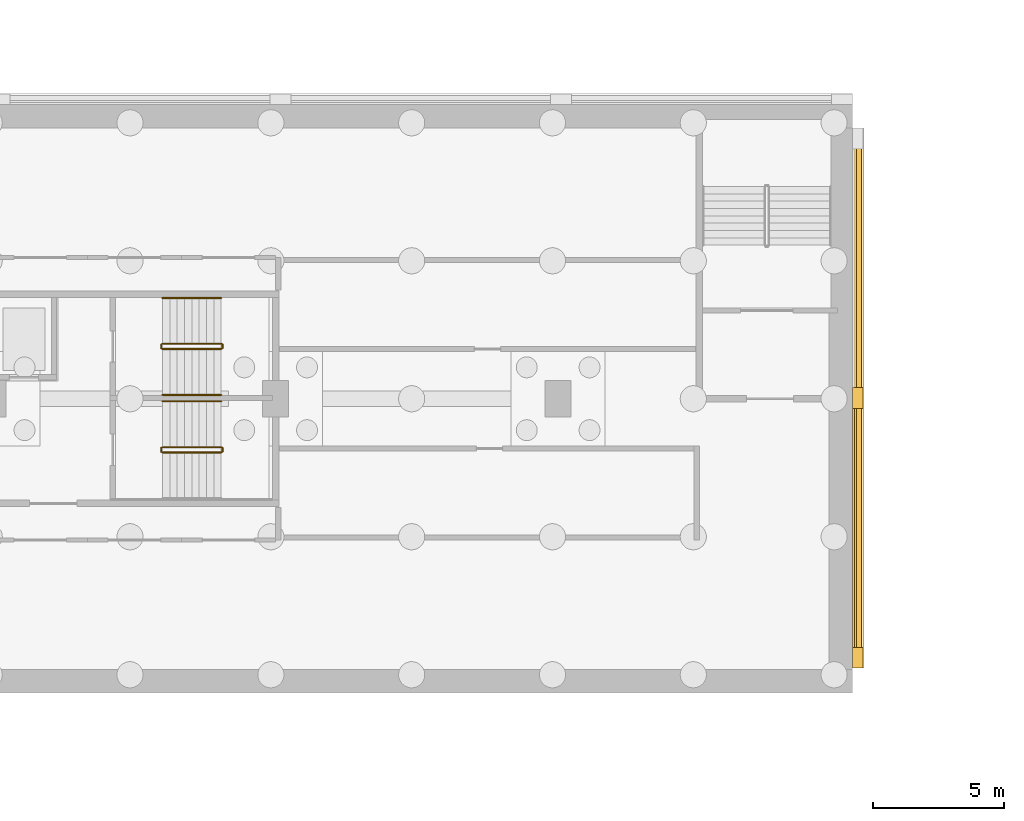
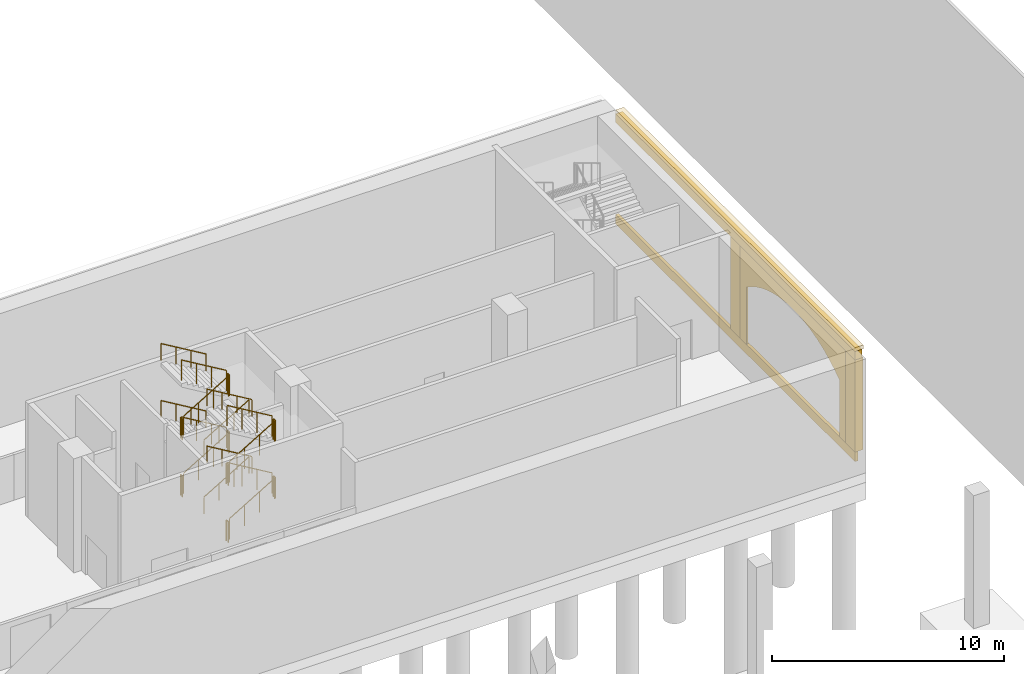
# One storey, part 35 of 39: 22 railings, 6 coverings.
"""IFC4 building model written with IfcOpenShell, lengths in metres."""

import ifcopenshell
import ifcopenshell.guid

model = None  # the IFC model being written
_history = None  # IfcOwnerHistory: only IFC2X3 demands one
_inside = {}  # id of a spatial element -> (the spatial element, [elements in it])
_under = {}  # id of a project, library or spatial element -> (it, [spatial elements below it])
_declared = {}  # id of a project -> (the project, [libraries it declares])
_typed = {}  # id of a type object -> (the type object, [elements of that type])
_made_of = {}  # id of a material, layer set ... -> (it, [elements and type objects made of it])


def new_model(schema):
    """Start an empty IFC model of exactly this schema.

    Asked for "IFC4X3", IfcOpenShell would pick the latest addendum, in which some entities
    have other attributes; the version numbers below select the first issue.
    IFC2X3 requires an IfcOwnerHistory on every rooted entity: one is made here for all.
    """
    global model, _history
    if schema == "IFC4X3":
        model = ifcopenshell.file(schema_version=(4, 3, 0, 0))
    else:
        model = ifcopenshell.file(schema=schema)
    _inside.clear()
    _under.clear()
    _declared.clear()
    _typed.clear()
    _made_of.clear()
    _history = None
    if model.schema == "IFC2X3":
        org = make("IfcOrganization", Name="unknown")
        user = make(
            "IfcPersonAndOrganization",
            ThePerson=make("IfcPerson", FamilyName="unknown"),
            TheOrganization=org,
        )
        app = make(
            "IfcApplication",
            ApplicationDeveloper=org,
            Version="unknown",
            ApplicationFullName="unknown",
            ApplicationIdentifier="unknown",
        )
        _history = make(
            "IfcOwnerHistory",
            OwningUser=user,
            OwningApplication=app,
            ChangeAction="ADDED",
            CreationDate=0,
        )
    return model


def make(cls, **values):
    """One entity of the class cls with the attributes given. An attribute that is None is left unset."""
    return model.create_entity(
        cls, **{name: value for name, value in values.items() if value is not None}
    )


def rooted(cls, **values):
    """An entity with a GlobalId (a new one), such as an element, a storey or a relation."""
    return make(cls, GlobalId=ifcopenshell.guid.new(), OwnerHistory=_history, **values)


def si_unit(unit_type, name, prefix=None):
    """IfcSIUnit, for example si_unit("LENGTHUNIT", "METRE", prefix="MILLI")."""
    return make("IfcSIUnit", UnitType=unit_type, Prefix=prefix, Name=name)


def assignment(units):
    """IfcUnitAssignment: the units of a project."""
    return None if units is None else make("IfcUnitAssignment", Units=units)


def point(xyz):
    """IfcCartesianPoint."""
    return None if xyz is None else make("IfcCartesianPoint", Coordinates=xyz)


def direction(xyz):
    """IfcDirection."""
    return None if xyz is None else make("IfcDirection", DirectionRatios=xyz)


def frame(location, z_axis=None, x_axis=None):
    """IfcAxis2Placement3D, a coordinate frame: its origin and axes. An axis left out is left unset."""
    return make(
        "IfcAxis2Placement3D",
        Location=point(location),
        Axis=direction(z_axis),
        RefDirection=direction(x_axis),
    )


def frame_2d(location, x_axis=None):
    """IfcAxis2Placement2D, a coordinate frame in the plane: its origin and x axis."""
    return make(
        "IfcAxis2Placement2D", Location=point(location), RefDirection=direction(x_axis)
    )


def origin():
    """The frame at (0, 0, 0) with its axes left unset."""
    return frame((0.0, 0.0, 0.0))


def origin_2d():
    """The frame at (0, 0) in the plane with its x axis left unset."""
    return frame_2d((0.0, 0.0))


def place(relative_to, where):
    """IfcLocalPlacement: puts the frame where relative to a parent placement (None: the world)."""
    return make(
        "IfcLocalPlacement", PlacementRelTo=relative_to, RelativePlacement=where
    )


def context(
    kind, dimensions, precision=None, world=None, true_north=None, identifier=None
):
    """IfcGeometricRepresentationContext, for example the 3D "Model" context."""
    return make(
        "IfcGeometricRepresentationContext",
        ContextIdentifier=identifier,
        ContextType=kind,
        CoordinateSpaceDimension=dimensions,
        Precision=precision,
        WorldCoordinateSystem=world,
        TrueNorth=true_north,
    )


def subcontext(parent, identifier, kind, view, scale=None):
    """IfcGeometricRepresentationSubContext, for example "Body" below "Model"."""
    return make(
        "IfcGeometricRepresentationSubContext",
        ContextIdentifier=identifier,
        ContextType=kind,
        ParentContext=parent,
        TargetScale=scale,
        TargetView=view,
    )


def project(units=None, contexts=None):
    """IfcProject with its units and contexts."""
    return rooted(
        "IfcProject",
        Name="project",
        RepresentationContexts=contexts,
        UnitsInContext=assignment(units),
    )


def spatial(cls, under=None, at=None, **own):
    """A site, building, storey or space (cls), placed at a placement, below another one or the project."""
    s = rooted(cls, ObjectPlacement=at, **own)
    if under is not None:
        _under.setdefault(under.id(), (under, []))[1].append(s)
    return s


def polyline(points):
    """IfcPolyline through the points."""
    return make("IfcPolyline", Points=[point(p) for p in points])


def profile(cls, at=None, kind="AREA", **sizes):
    """A parametric profile (cls). Its sizes go by their IFC names, for example OverallWidth=200.0."""
    return make(cls, ProfileType=kind, Position=at, **sizes)


def rectangle(**sizes):
    """IfcRectangleProfileDef."""
    return profile("IfcRectangleProfileDef", **sizes)


def circle(**sizes):
    """IfcCircleProfileDef."""
    return profile("IfcCircleProfileDef", **sizes)


def outline(outer, holes=None, kind="AREA"):
    """IfcArbitraryClosedProfileDef: a profile drawn as a closed curve; with holes, ...WithVoids."""
    if holes is None:
        return make("IfcArbitraryClosedProfileDef", ProfileType=kind, OuterCurve=outer)
    return make(
        "IfcArbitraryProfileDefWithVoids",
        ProfileType=kind,
        OuterCurve=outer,
        InnerCurves=holes,
    )


def extrude(swept, where, along, depth):
    """IfcExtrudedAreaSolid: the profile swept, set in the frame where, extruded along a direction by depth."""
    return make(
        "IfcExtrudedAreaSolid",
        SweptArea=swept,
        Position=where,
        ExtrudedDirection=direction(along),
        Depth=depth,
    )


def shape(context_of_items, identifier, shape_type, items):
    """IfcShapeRepresentation: the items that make up one representation, for example the "Body"."""
    return make(
        "IfcShapeRepresentation",
        ContextOfItems=context_of_items,
        RepresentationIdentifier=identifier,
        RepresentationType=shape_type,
        Items=items,
    )


def material(Name=None, Category=None):
    """IfcMaterial."""
    return make("IfcMaterial", Name=Name, Category=Category)


def layer(
    of_material, thickness, ventilated=None, Name=None, Category=None, Priority=None
):
    """IfcMaterialLayer: one layer of a wall or slab, of a material (None: an air gap)."""
    return make(
        "IfcMaterialLayer",
        Material=of_material,
        LayerThickness=thickness,
        IsVentilated=ventilated,
        Name=Name,
        Category=Category,
        Priority=Priority,
    )


def layer_set(layers, Name=None):
    """IfcMaterialLayerSet."""
    return make("IfcMaterialLayerSet", MaterialLayers=layers, LayerSetName=Name)


def made_of(thing, what):
    """Note that an element or type object is made of a material, layer set ...; save() writes the relation."""
    if what is not None:
        _made_of.setdefault(what.id(), (what, []))[1].append(thing)
    return thing


def type_object(cls, material=None, **own):
    """A type object (cls), such as IfcWallType, which elements share."""
    return made_of(rooted(cls, **own), material)


def element(
    cls,
    number,
    at=None,
    inside=None,
    cuts=None,
    type_object=None,
    material=None,
    context=None,
    identifier="Body",
    shape_type=None,
    held_by="IfcProductDefinitionShape",
    body=None,
    shapes=None,
    **own,
):
    """One element of the class cls, such as IfcWall. Its Tag is "e" and its number.

    at: its placement. inside: the storey or other place that contains it. cuts: it is an
    opening in that element (IfcRelVoidsElement). A single representation is given by context,
    identifier, shape_type and body (its items); several are given by shapes. held_by: the class
    of the entity that holds the representations. save() writes the other relations.
    """
    e = rooted(cls, Tag="e%d" % number, ObjectPlacement=at, **own)
    if body is not None:
        shapes = [shape(context, identifier, shape_type, body)]
    if shapes is not None:
        e.Representation = make(held_by, Representations=shapes)
    if inside is not None:
        _inside.setdefault(inside.id(), (inside, []))[1].append(e)
    if cuts is not None:
        rooted(
            "IfcRelVoidsElement", RelatingBuildingElement=cuts, RelatedOpeningElement=e
        )
    if type_object is not None:
        _typed.setdefault(type_object.id(), (type_object, []))[1].append(e)
    return made_of(e, material)


def aggregate(whole, parts):
    """IfcRelAggregates: a whole, such as a stair, and the parts it consists of."""
    return rooted("IfcRelAggregates", RelatingObject=whole, RelatedObjects=parts)


def save(model, path):
    """Write the relations noted so far, then the file.

    IfcRelAggregates (storeys below a building ...), IfcRelContainedInSpatialStructure (elements
    in a storey), IfcRelDefinesByType, IfcRelAssociatesMaterial and IfcRelDeclares: one each for
    every whole, place, type object, material and project.
    """
    for whole, parts in _under.values():
        aggregate(whole, parts)
    for where, things in _inside.values():
        rooted(
            "IfcRelContainedInSpatialStructure",
            RelatedElements=things,
            RelatingStructure=where,
        )
    for kind, things in _typed.values():
        rooted("IfcRelDefinesByType", RelatedObjects=things, RelatingType=kind)
    for what, things in _made_of.values():
        rooted("IfcRelAssociatesMaterial", RelatedObjects=things, RelatingMaterial=what)
    for by, libraries in _declared.values():
        rooted("IfcRelDeclares", RelatingContext=by, RelatedDefinitions=libraries)
    model.write(path)


model = new_model("IFC4")

# Units and contexts
model_context = context("Model", 3, precision=1e-05, world=origin(), true_north=direction((0.0, 1.0)))
body_context = subcontext(model_context, "Body", "Model", "MODEL_VIEW")
ifc_project = project(units=[si_unit("LENGTHUNIT", "METRE"), si_unit("AREAUNIT", "SQUARE_METRE"), si_unit("VOLUMEUNIT", "CUBIC_METRE"), si_unit("PLANEANGLEUNIT", "RADIAN"), si_unit("MASSUNIT", "GRAM", prefix="KILO")], contexts=[model_context])

# Site, building, storey
site_placement = place(None, origin())
site = spatial("IfcSite", under=ifc_project, at=site_placement, CompositionType="ELEMENT")
building_placement = place(site_placement, origin())
building = spatial("IfcBuilding", under=site, at=building_placement, Name="Magnolia Steps Interchange", CompositionType="ELEMENT")
storey_placement = place(building_placement, frame((0.0, 0.0, -11.39990234375)))
storey = spatial("IfcBuildingStorey", under=building, at=storey_placement, Name="B2", CompositionType="ELEMENT", Elevation=-11.39990234375)

# Coverings
ifc_material_1 = material(Name="Lime render")
ifc_layer_1 = layer(ifc_material_1, 0.080078125)
ifc_layer_set_1 = layer_set([ifc_layer_1], Name="Lime render arch infill")
covering_type_1 = type_object("IfcCoveringType", Name="Lime render arch infill", PredefinedType="CLADDING", material=ifc_layer_set_1)
covering_1_placement = place(storey_placement, frame((183.25, 54.5, 0.5), z_axis=(-1.0, 0.0, 0.0), x_axis=(0.0, 0.0, 1.0)))
element("IfcCovering", 1, at=covering_1_placement, inside=storey, type_object=covering_type_1, Name="Blind arch metro box wall 1.1", PredefinedType="CLADDING", context=body_context, shape_type="SweptSolid", body=[
    extrude(outline(polyline([(0.0, 0.0), (4.849853516, 0.0), (4.849853516, 9.125), (0.0, 9.125), (0.0, 8.574951172), (3.0, 8.574951172), (3.296875, 8.129150391), (3.546630859, 7.683349609), (3.755371094, 7.237548828), (3.926513672, 6.791748047), (4.063476562, 6.345703125), (4.16796875, 5.899902344), (4.241699219, 5.454101562), (4.285400391, 5.008300781), (4.299804688, 4.5625), (4.285400391, 4.116699219), (4.241699219, 3.670898438), (4.16796875, 3.225097656), (4.063476562, 2.779296875), (3.926513672, 2.333251953), (3.755371094, 1.887451172), (3.546630859, 1.441650391), (3.296875, 0.995849609), (3.0, 0.550048828), (0.0, 0.550048828), (0.0, 0.0)])), origin(), (0.0, 0.0, -1.0), 0.080078125),
])
ifc_material_2 = material(Name="Lime render")
ifc_layer_2 = layer(ifc_material_2, 0.1201171875)
ifc_layer_set_2 = layer_set([ifc_layer_2], Name="Lime render band")
covering_type_2 = type_object("IfcCoveringType", Name="Lime render band", PredefinedType="CLADDING", material=ifc_layer_set_2)
covering_2_placement = place(storey_placement, frame((183.324951171875, 64.02490234375, 0.0), z_axis=(0.0, 0.0, 1.0), x_axis=(1.0, 0.0, 0.0)))
element("IfcCovering", 2, at=covering_2_placement, inside=storey, type_object=covering_type_2, Name="Plinth course metro box wall 1", PredefinedType="CLADDING", context=body_context, shape_type="SweptSolid", body=[
    extrude(rectangle(XDim=0.14990234375, YDim=20.64990234375, at=origin_2d()), origin(), (0.0, 0.0, 1.0), 0.5),
])
covering_3_placement = place(storey_placement, frame((183.425048828125, 64.02490234375, 5.35009765625), z_axis=(0.0, 0.0, 1.0), x_axis=(1.0, 0.0, 0.0)))
element("IfcCovering", 3, at=covering_3_placement, inside=storey, type_object=covering_type_2, Name="Cornice metro box wall 1", PredefinedType="CLADDING", context=body_context, shape_type="SweptSolid", body=[
    extrude(rectangle(XDim=0.35009765625, YDim=20.64990234375, at=origin_2d()), origin(), (0.0, 0.0, 1.0), 0.449951171875),
])
covering_4_placement = place(storey_placement, frame((183.4599609375, 64.02490234375, 5.7998046875), z_axis=(0.0, 0.0, 1.0), x_axis=(1.0, 0.0, 0.0)))
element("IfcCovering", 4, at=covering_4_placement, inside=storey, type_object=covering_type_2, Name="Coping metro box wall 1", PredefinedType="CLADDING", context=body_context, shape_type="SweptSolid", body=[
    extrude(rectangle(XDim=0.419921875, YDim=20.64990234375, at=origin_2d()), origin(), (0.0, 0.0, 1.0), 0.199951171875),
])
ifc_material_3 = material(Name="Lime render")
ifc_layer_3 = layer(ifc_material_3, 0.39990234375)
ifc_layer_set_3 = layer_set([ifc_layer_3], Name="Lime render pilaster")
covering_type_3 = type_object("IfcCoveringType", Name="Lime render pilaster", PredefinedType="CLADDING", material=ifc_layer_set_3)
for number, where, z_axis, x_axis, name in (
    (5, (183.449951171875, 54.10009765625, 0.499755859375), (0.0, 0.0, 1.0), (1.0, 0.0, 0.0), "Pilaster metro box wall 1.1"),
    (6, (183.449951171875, 64.02490234375, 0.499755859375), (0.0, 0.0, 1.0), (1.0, 0.0, 0.0), "Pilaster metro box wall 1.2"),
):
    element("IfcCovering", number, at=place(storey_placement, frame(where, z_axis=z_axis, x_axis=x_axis)), inside=storey, type_object=covering_type_3, Name=name, PredefinedType="CLADDING", context=body_context, shape_type="SweptSolid", body=[
        extrude(rectangle(XDim=0.39990234375, YDim=0.800048828125, at=origin_2d()), origin(), (0.0, 0.0, 1.0), 4.85009765625),
    ])

# Railings
ifc_material_4 = material(Name="Stainless steel grade 304", Category="steel")
railing_type_1 = type_object("IfcRailingType", Name="Stair guard 1100", PredefinedType="GUARDRAIL", material=ifc_material_4)
railing_1_placement = place(storey_placement, frame((156.875, 65.90087890625, 0.16650390625)))
element("IfcRailing", 7, at=railing_1_placement, inside=storey, type_object=railing_type_1, Name="B2 ST13 stair guard 1", PredefinedType="GUARDRAIL", context=body_context, shape_type="SweptSolid", body=[
    extrude(circle(Radius=0.02392578125, at=origin_2d()), frame((0.0, 0.0, 1.076171875), z_axis=(0.859264461869, 0.0, 0.511531606619), x_axis=(0.0, 1.0, 0.0)), (0.0, 0.0, 1.0), 2.60693359375),
    extrude(circle(Radius=0.02099609375, at=origin_2d()), origin(), (0.0, 0.0, 1.0), 1.052001953125),
    extrude(circle(Radius=0.02099609375, at=origin_2d()), frame((0.74658203125, 0.0, 0.444580078125)), (0.0, 0.0, 1.0), 1.052001953125),
    extrude(circle(Radius=0.02099609375, at=origin_2d()), frame((1.493408203125, 0.0, 0.888916015625)), (0.0, 0.0, 1.0), 1.052001953125),
    extrude(circle(Radius=0.02099609375, at=origin_2d()), frame((2.239990234375, 0.0, 1.33349609375)), (0.0, 0.0, 1.0), 1.052001953125),
])
railing_2_placement = place(storey_placement, frame((159.1650390625, 65.925048828125, 1.5)))
element("IfcRailing", 8, at=railing_2_placement, inside=storey, type_object=railing_type_1, Name="B2 ST13 stair guard 2", PredefinedType="GUARDRAIL", context=body_context, shape_type="SweptSolid", body=[
    extrude(circle(Radius=0.02392578125, at=origin_2d()), frame((0.0, 0.0, 1.076171875), z_axis=(0.0, 1.0, 0.0), x_axis=(-1.0, 0.0, 0.0)), (0.0, 0.0, 1.0), 0.14990234375),
    extrude(circle(Radius=0.02099609375, at=origin_2d()), origin(), (0.0, 0.0, 1.0), 1.052001953125),
    extrude(circle(Radius=0.02099609375, at=origin_2d()), frame((0.0, 0.14990234375, 0.0)), (0.0, 0.0, 1.0), 1.052001953125),
])
railing_3_placement = place(storey_placement, frame((159.114990234375, 66.09912109375, 1.66650390625)))
element("IfcRailing", 9, at=railing_3_placement, inside=storey, type_object=railing_type_1, Name="B2 ST13 stair guard 3", PredefinedType="GUARDRAIL", context=body_context, shape_type="SweptSolid", body=[
    extrude(circle(Radius=0.02392578125, at=origin_2d()), frame((0.0, 0.0, 1.076171875), z_axis=(-0.859264461869, 0.0, 0.511531606619), x_axis=(0.0, -1.0, 0.0)), (0.0, 0.0, 1.0), 2.60693359375),
    extrude(circle(Radius=0.02099609375, at=origin_2d()), origin(), (0.0, 0.0, 1.0), 1.052001953125),
    extrude(circle(Radius=0.02099609375, at=origin_2d()), frame((-0.74658203125, 0.0, 0.444580078125)), (0.0, 0.0, 1.0), 1.052001953125),
    extrude(circle(Radius=0.02099609375, at=origin_2d()), frame((-1.493408203125, 0.0, 0.888916015625)), (0.0, 0.0, 1.0), 1.052001953125),
    extrude(circle(Radius=0.02099609375, at=origin_2d()), frame((-2.239990234375, 0.0, 1.33349609375)), (0.0, 0.0, 1.0), 1.052001953125),
])
railing_4_placement = place(storey_placement, frame((156.824951171875, 65.925048828125, 3.0)))
element("IfcRailing", 10, at=railing_4_placement, inside=storey, type_object=railing_type_1, Name="B2 ST13 stair guard 4", PredefinedType="GUARDRAIL", context=body_context, shape_type="SweptSolid", body=[
    extrude(circle(Radius=0.02392578125, at=origin_2d()), frame((0.0, 0.0, 1.076171875), z_axis=(0.0, 1.0, 0.0), x_axis=(-1.0, 0.0, 0.0)), (0.0, 0.0, 1.0), 0.14990234375),
    extrude(circle(Radius=0.02099609375, at=origin_2d()), origin(), (0.0, 0.0, 1.0), 1.052001953125),
    extrude(circle(Radius=0.02099609375, at=origin_2d()), frame((0.0, 0.14990234375, 0.0)), (0.0, 0.0, 1.0), 1.052001953125),
])
railing_5_placement = place(storey_placement, frame((156.875, 65.90087890625, 3.16650390625)))
element("IfcRailing", 11, at=railing_5_placement, inside=storey, type_object=railing_type_1, Name="B2 ST13 stair guard 5", PredefinedType="GUARDRAIL", context=body_context, shape_type="SweptSolid", body=[
    extrude(circle(Radius=0.02392578125, at=origin_2d()), frame((0.0, 0.0, 1.076171875), z_axis=(0.859264461869, 0.0, 0.511531606619), x_axis=(0.0, 1.0, 0.0)), (0.0, 0.0, 1.0), 2.60693359375),
    extrude(circle(Radius=0.02099609375, at=origin_2d()), origin(), (0.0, 0.0, 1.0), 1.052001953125),
    extrude(circle(Radius=0.02099609375, at=origin_2d()), frame((0.74658203125, 0.0, 0.444580078125)), (0.0, 0.0, 1.0), 1.052001953125),
    extrude(circle(Radius=0.02099609375, at=origin_2d()), frame((1.493408203125, 0.0, 0.888916015625)), (0.0, 0.0, 1.0), 1.052001953125),
    extrude(circle(Radius=0.02099609375, at=origin_2d()), frame((2.239990234375, 0.0, 1.33349609375)), (0.0, 0.0, 1.0), 1.052001953125),
])
railing_6_placement = place(storey_placement, frame((159.1650390625, 65.925048828125, 4.5)))
element("IfcRailing", 12, at=railing_6_placement, inside=storey, type_object=railing_type_1, Name="B2 ST13 stair guard 6", PredefinedType="GUARDRAIL", context=body_context, shape_type="SweptSolid", body=[
    extrude(circle(Radius=0.02392578125, at=origin_2d()), frame((0.0, 0.0, 1.076171875), z_axis=(0.0, 1.0, 0.0), x_axis=(-1.0, 0.0, 0.0)), (0.0, 0.0, 1.0), 0.14990234375),
    extrude(circle(Radius=0.02099609375, at=origin_2d()), origin(), (0.0, 0.0, 1.0), 1.052001953125),
    extrude(circle(Radius=0.02099609375, at=origin_2d()), frame((0.0, 0.14990234375, 0.0)), (0.0, 0.0, 1.0), 1.052001953125),
])
railing_7_placement = place(storey_placement, frame((159.114990234375, 66.09912109375, 4.66650390625)))
element("IfcRailing", 13, at=railing_7_placement, inside=storey, type_object=railing_type_1, Name="B2 ST13 stair guard 7", PredefinedType="GUARDRAIL", context=body_context, shape_type="SweptSolid", body=[
    extrude(circle(Radius=0.02392578125, at=origin_2d()), frame((0.0, 0.0, 1.076171875), z_axis=(-0.859264461869, 0.0, 0.511531606619), x_axis=(0.0, -1.0, 0.0)), (0.0, 0.0, 1.0), 2.60693359375),
    extrude(circle(Radius=0.02099609375, at=origin_2d()), origin(), (0.0, 0.0, 1.0), 1.052001953125),
    extrude(circle(Radius=0.02099609375, at=origin_2d()), frame((-0.74658203125, 0.0, 0.444580078125)), (0.0, 0.0, 1.0), 1.052001953125),
    extrude(circle(Radius=0.02099609375, at=origin_2d()), frame((-1.493408203125, 0.0, 0.888916015625)), (0.0, 0.0, 1.0), 1.052001953125),
    extrude(circle(Radius=0.02099609375, at=origin_2d()), frame((-2.239990234375, 0.0, 1.33349609375)), (0.0, 0.0, 1.0), 1.052001953125),
])
railing_8_placement = place(storey_placement, frame((156.824951171875, 65.925048828125, 0.0)))
element("IfcRailing", 14, at=railing_8_placement, inside=storey, type_object=railing_type_1, Name="B2 ST13 stair guard 8", PredefinedType="GUARDRAIL", context=body_context, shape_type="SweptSolid", body=[
    extrude(circle(Radius=0.02392578125, at=origin_2d()), frame((0.0, 0.0, 1.076171875), z_axis=(0.0, 1.0, 0.0), x_axis=(-1.0, 0.0, 0.0)), (0.0, 0.0, 1.0), 0.14990234375),
    extrude(circle(Radius=0.02099609375, at=origin_2d()), origin(), (0.0, 0.0, 1.0), 1.052001953125),
    extrude(circle(Radius=0.02099609375, at=origin_2d()), frame((0.0, 0.14990234375, 0.0)), (0.0, 0.0, 1.0), 1.052001953125),
])
railing_9_placement = place(storey_placement, frame((156.875, 61.950927734375, 0.16650390625)))
element("IfcRailing", 15, at=railing_9_placement, inside=storey, type_object=railing_type_1, Name="B2 ST14 stair guard 1", PredefinedType="GUARDRAIL", context=body_context, shape_type="SweptSolid", body=[
    extrude(circle(Radius=0.02392578125, at=origin_2d()), frame((0.0, 0.0, 1.076171875), z_axis=(0.859264461869, 0.0, 0.511531606619), x_axis=(0.0, 1.0, 0.0)), (0.0, 0.0, 1.0), 2.60693359375),
    extrude(circle(Radius=0.02099609375, at=origin_2d()), origin(), (0.0, 0.0, 1.0), 1.052001953125),
    extrude(circle(Radius=0.02099609375, at=origin_2d()), frame((0.74658203125, 0.0, 0.444580078125)), (0.0, 0.0, 1.0), 1.052001953125),
    extrude(circle(Radius=0.02099609375, at=origin_2d()), frame((1.493408203125, 0.0, 0.888916015625)), (0.0, 0.0, 1.0), 1.052001953125),
    extrude(circle(Radius=0.02099609375, at=origin_2d()), frame((2.239990234375, 0.0, 1.33349609375)), (0.0, 0.0, 1.0), 1.052001953125),
])
railing_10_placement = place(storey_placement, frame((159.1650390625, 61.97509765625, 1.5)))
element("IfcRailing", 16, at=railing_10_placement, inside=storey, type_object=railing_type_1, Name="B2 ST14 stair guard 2", PredefinedType="GUARDRAIL", context=body_context, shape_type="SweptSolid", body=[
    extrude(circle(Radius=0.02392578125, at=origin_2d()), frame((0.0, 0.0, 1.076171875), z_axis=(0.0, 1.0, 0.0), x_axis=(-1.0, 0.0, 0.0)), (0.0, 0.0, 1.0), 0.14990234375),
    extrude(circle(Radius=0.02099609375, at=origin_2d()), origin(), (0.0, 0.0, 1.0), 1.052001953125),
    extrude(circle(Radius=0.02099609375, at=origin_2d()), frame((0.0, 0.14990234375, 0.0)), (0.0, 0.0, 1.0), 1.052001953125),
])
railing_11_placement = place(storey_placement, frame((159.114990234375, 62.14892578125, 1.66650390625)))
element("IfcRailing", 17, at=railing_11_placement, inside=storey, type_object=railing_type_1, Name="B2 ST14 stair guard 3", PredefinedType="GUARDRAIL", context=body_context, shape_type="SweptSolid", body=[
    extrude(circle(Radius=0.02392578125, at=origin_2d()), frame((0.0, 0.0, 1.076171875), z_axis=(-0.859264461869, 0.0, 0.511531606619), x_axis=(0.0, -1.0, 0.0)), (0.0, 0.0, 1.0), 2.60693359375),
    extrude(circle(Radius=0.02099609375, at=origin_2d()), origin(), (0.0, 0.0, 1.0), 1.052001953125),
    extrude(circle(Radius=0.02099609375, at=origin_2d()), frame((-0.74658203125, 0.0, 0.444580078125)), (0.0, 0.0, 1.0), 1.052001953125),
    extrude(circle(Radius=0.02099609375, at=origin_2d()), frame((-1.493408203125, 0.0, 0.888916015625)), (0.0, 0.0, 1.0), 1.052001953125),
    extrude(circle(Radius=0.02099609375, at=origin_2d()), frame((-2.239990234375, 0.0, 1.33349609375)), (0.0, 0.0, 1.0), 1.052001953125),
])
railing_12_placement = place(storey_placement, frame((156.824951171875, 61.97509765625, 3.0)))
element("IfcRailing", 18, at=railing_12_placement, inside=storey, type_object=railing_type_1, Name="B2 ST14 stair guard 4", PredefinedType="GUARDRAIL", context=body_context, shape_type="SweptSolid", body=[
    extrude(circle(Radius=0.02392578125, at=origin_2d()), frame((0.0, 0.0, 1.076171875), z_axis=(0.0, 1.0, 0.0), x_axis=(-1.0, 0.0, 0.0)), (0.0, 0.0, 1.0), 0.14990234375),
    extrude(circle(Radius=0.02099609375, at=origin_2d()), origin(), (0.0, 0.0, 1.0), 1.052001953125),
    extrude(circle(Radius=0.02099609375, at=origin_2d()), frame((0.0, 0.14990234375, 0.0)), (0.0, 0.0, 1.0), 1.052001953125),
])
railing_13_placement = place(storey_placement, frame((156.875, 61.950927734375, 3.16650390625)))
element("IfcRailing", 19, at=railing_13_placement, inside=storey, type_object=railing_type_1, Name="B2 ST14 stair guard 5", PredefinedType="GUARDRAIL", context=body_context, shape_type="SweptSolid", body=[
    extrude(circle(Radius=0.02392578125, at=origin_2d()), frame((0.0, 0.0, 1.076171875), z_axis=(0.859264461869, 0.0, 0.511531606619), x_axis=(0.0, 1.0, 0.0)), (0.0, 0.0, 1.0), 2.60693359375),
    extrude(circle(Radius=0.02099609375, at=origin_2d()), origin(), (0.0, 0.0, 1.0), 1.052001953125),
    extrude(circle(Radius=0.02099609375, at=origin_2d()), frame((0.74658203125, 0.0, 0.444580078125)), (0.0, 0.0, 1.0), 1.052001953125),
    extrude(circle(Radius=0.02099609375, at=origin_2d()), frame((1.493408203125, 0.0, 0.888916015625)), (0.0, 0.0, 1.0), 1.052001953125),
    extrude(circle(Radius=0.02099609375, at=origin_2d()), frame((2.239990234375, 0.0, 1.33349609375)), (0.0, 0.0, 1.0), 1.052001953125),
])
railing_14_placement = place(storey_placement, frame((159.1650390625, 61.97509765625, 4.5)))
element("IfcRailing", 20, at=railing_14_placement, inside=storey, type_object=railing_type_1, Name="B2 ST14 stair guard 6", PredefinedType="GUARDRAIL", context=body_context, shape_type="SweptSolid", body=[
    extrude(circle(Radius=0.02392578125, at=origin_2d()), frame((0.0, 0.0, 1.076171875), z_axis=(0.0, 1.0, 0.0), x_axis=(-1.0, 0.0, 0.0)), (0.0, 0.0, 1.0), 0.14990234375),
    extrude(circle(Radius=0.02099609375, at=origin_2d()), origin(), (0.0, 0.0, 1.0), 1.052001953125),
    extrude(circle(Radius=0.02099609375, at=origin_2d()), frame((0.0, 0.14990234375, 0.0)), (0.0, 0.0, 1.0), 1.052001953125),
])
railing_15_placement = place(storey_placement, frame((159.114990234375, 62.14892578125, 4.66650390625)))
element("IfcRailing", 21, at=railing_15_placement, inside=storey, type_object=railing_type_1, Name="B2 ST14 stair guard 7", PredefinedType="GUARDRAIL", context=body_context, shape_type="SweptSolid", body=[
    extrude(circle(Radius=0.02392578125, at=origin_2d()), frame((0.0, 0.0, 1.076171875), z_axis=(-0.859264461869, 0.0, 0.511531606619), x_axis=(0.0, -1.0, 0.0)), (0.0, 0.0, 1.0), 2.60693359375),
    extrude(circle(Radius=0.02099609375, at=origin_2d()), origin(), (0.0, 0.0, 1.0), 1.052001953125),
    extrude(circle(Radius=0.02099609375, at=origin_2d()), frame((-0.74658203125, 0.0, 0.444580078125)), (0.0, 0.0, 1.0), 1.052001953125),
    extrude(circle(Radius=0.02099609375, at=origin_2d()), frame((-1.493408203125, 0.0, 0.888916015625)), (0.0, 0.0, 1.0), 1.052001953125),
    extrude(circle(Radius=0.02099609375, at=origin_2d()), frame((-2.239990234375, 0.0, 1.33349609375)), (0.0, 0.0, 1.0), 1.052001953125),
])
railing_16_placement = place(storey_placement, frame((156.824951171875, 61.97509765625, 0.0)))
element("IfcRailing", 22, at=railing_16_placement, inside=storey, type_object=railing_type_1, Name="B2 ST14 stair guard 8", PredefinedType="GUARDRAIL", context=body_context, shape_type="SweptSolid", body=[
    extrude(circle(Radius=0.02392578125, at=origin_2d()), frame((0.0, 0.0, 1.076171875), z_axis=(0.0, 1.0, 0.0), x_axis=(-1.0, 0.0, 0.0)), (0.0, 0.0, 1.0), 0.14990234375),
    extrude(circle(Radius=0.02099609375, at=origin_2d()), origin(), (0.0, 0.0, 1.0), 1.052001953125),
    extrude(circle(Radius=0.02099609375, at=origin_2d()), frame((0.0, 0.14990234375, 0.0)), (0.0, 0.0, 1.0), 1.052001953125),
])
ifc_material_5 = material(Name="Stainless steel grade 304", Category="steel")
railing_type_2 = type_object("IfcRailingType", Name="Stair handrail 900", PredefinedType="HANDRAIL", material=ifc_material_5)
railing_17_placement = place(storey_placement, frame((156.875, 64.14892578125, 0.16650390625)))
element("IfcRailing", 23, at=railing_17_placement, inside=storey, type_object=railing_type_2, Name="B2 ST13 stair handrail 1", PredefinedType="HANDRAIL", context=body_context, shape_type="SweptSolid", body=[
    extrude(circle(Radius=0.02392578125, at=origin_2d()), frame((0.0, 0.0, 0.8759765625), z_axis=(0.859264461869, 0.0, 0.511531606619), x_axis=(0.0, 1.0, 0.0)), (0.0, 0.0, 1.0), 2.60693359375),
    extrude(circle(Radius=0.02099609375, at=origin_2d()), origin(), (0.0, 0.0, 1.0), 0.851806640625),
    extrude(circle(Radius=0.02099609375, at=origin_2d()), frame((0.74658203125, 0.0, 0.444580078125)), (0.0, 0.0, 1.0), 0.851806640625),
    extrude(circle(Radius=0.02099609375, at=origin_2d()), frame((1.493408203125, 0.0, 0.888916015625)), (0.0, 0.0, 1.0), 0.851806640625),
    extrude(circle(Radius=0.02099609375, at=origin_2d()), frame((2.239990234375, 0.0, 1.33349609375)), (0.0, 0.0, 1.0), 0.851806640625),
])
railing_18_placement = place(storey_placement, frame((159.114990234375, 67.85107421875, 1.66650390625)))
element("IfcRailing", 24, at=railing_18_placement, inside=storey, type_object=railing_type_2, Name="B2 ST13 stair handrail 2", PredefinedType="HANDRAIL", context=body_context, shape_type="SweptSolid", body=[
    extrude(circle(Radius=0.02392578125, at=origin_2d()), frame((0.0, 0.0, 0.8759765625), z_axis=(-0.859264461869, 0.0, 0.511531606619), x_axis=(0.0, -1.0, 0.0)), (0.0, 0.0, 1.0), 2.60693359375),
    extrude(circle(Radius=0.02099609375, at=origin_2d()), origin(), (0.0, 0.0, 1.0), 0.851806640625),
    extrude(circle(Radius=0.02099609375, at=origin_2d()), frame((-0.74658203125, 0.0, 0.444580078125)), (0.0, 0.0, 1.0), 0.851806640625),
    extrude(circle(Radius=0.02099609375, at=origin_2d()), frame((-1.493408203125, 0.0, 0.888916015625)), (0.0, 0.0, 1.0), 0.851806640625),
    extrude(circle(Radius=0.02099609375, at=origin_2d()), frame((-2.239990234375, 0.0, 1.33349609375)), (0.0, 0.0, 1.0), 0.851806640625),
])
railing_19_placement = place(storey_placement, frame((156.875, 64.14892578125, 3.16650390625)))
element("IfcRailing", 25, at=railing_19_placement, inside=storey, type_object=railing_type_2, Name="B2 ST13 stair handrail 3", PredefinedType="HANDRAIL", context=body_context, shape_type="SweptSolid", body=[
    extrude(circle(Radius=0.02392578125, at=origin_2d()), frame((0.0, 0.0, 0.8759765625), z_axis=(0.859264461869, 0.0, 0.511531606619), x_axis=(0.0, 1.0, 0.0)), (0.0, 0.0, 1.0), 2.60693359375),
    extrude(circle(Radius=0.02099609375, at=origin_2d()), origin(), (0.0, 0.0, 1.0), 0.851806640625),
    extrude(circle(Radius=0.02099609375, at=origin_2d()), frame((0.74658203125, 0.0, 0.444580078125)), (0.0, 0.0, 1.0), 0.851806640625),
    extrude(circle(Radius=0.02099609375, at=origin_2d()), frame((1.493408203125, 0.0, 0.888916015625)), (0.0, 0.0, 1.0), 0.851806640625),
    extrude(circle(Radius=0.02099609375, at=origin_2d()), frame((2.239990234375, 0.0, 1.33349609375)), (0.0, 0.0, 1.0), 0.851806640625),
])
for number, where, name in (
    (26, (159.114990234375, 67.85107421875, 4.66650390625), "B2 ST13 stair handrail 4"),
    (27, (159.114990234375, 63.90087890625, 1.66650390625), "B2 ST14 stair handrail 2"),
    (28, (159.114990234375, 63.90087890625, 4.66650390625), "B2 ST14 stair handrail 4"),
):
    element("IfcRailing", number, at=place(storey_placement, frame(where)), inside=storey, type_object=railing_type_2, Name=name, PredefinedType="HANDRAIL", context=body_context, shape_type="SweptSolid", body=[
        extrude(circle(Radius=0.02392578125, at=origin_2d()), frame((0.0, 0.0, 0.8759765625), z_axis=(-0.859264461869, 0.0, 0.511531606619), x_axis=(0.0, -1.0, 0.0)), (0.0, 0.0, 1.0), 2.60693359375),
        extrude(circle(Radius=0.02099609375, at=origin_2d()), origin(), (0.0, 0.0, 1.0), 0.851806640625),
        extrude(circle(Radius=0.02099609375, at=origin_2d()), frame((-0.74658203125, 0.0, 0.444580078125)), (0.0, 0.0, 1.0), 0.851806640625),
        extrude(circle(Radius=0.02099609375, at=origin_2d()), frame((-1.493408203125, 0.0, 0.888916015625)), (0.0, 0.0, 1.0), 0.851806640625),
        extrude(circle(Radius=0.02099609375, at=origin_2d()), frame((-2.239990234375, 0.0, 1.33349609375)), (0.0, 0.0, 1.0), 0.851806640625),
    ])

save(model, "model.ifc")
